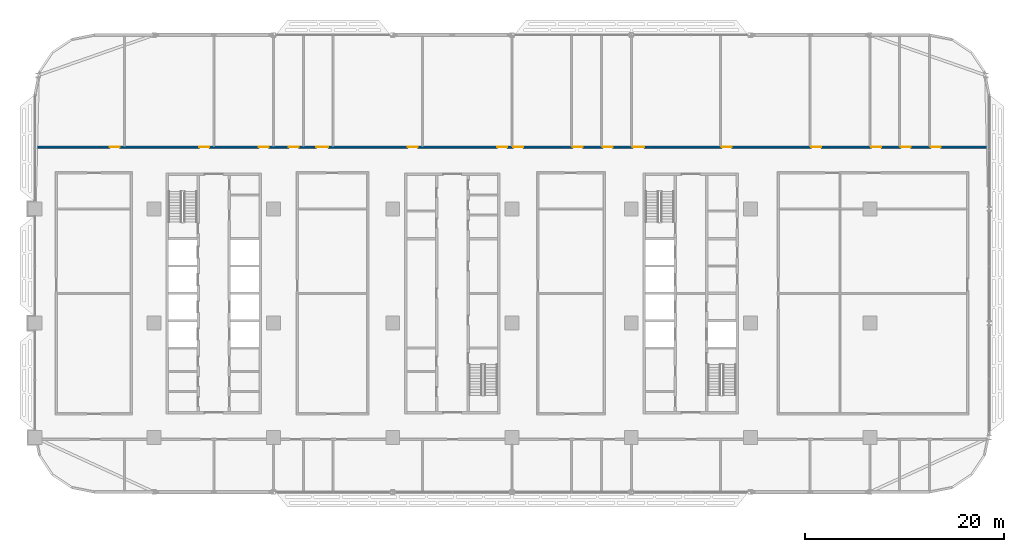
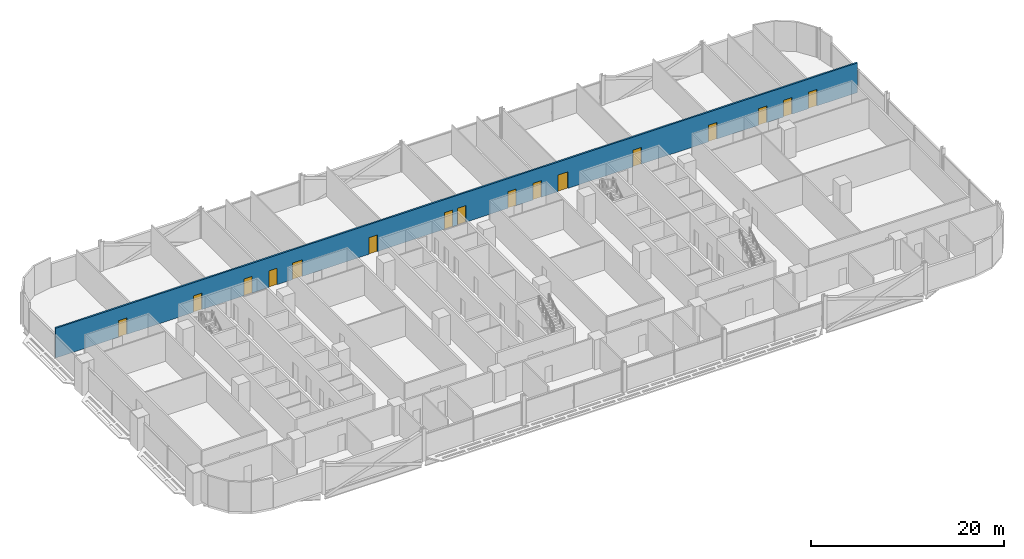
# One storey, part 15 of 29: 16 doors, 1 wall, 16 openings.
"""IFC4 building model written with IfcOpenShell, lengths in metres."""

from ifc_helpers import new_model, si_unit, direction, frame, frame_2d, origin, place, context, subcontext, project, spatial, rectangle, extrude, material, layer, layer_set, type_object, element, fill, save


model = new_model("IFC4")

# Units and contexts
model_context = context("Model", 3, precision=1e-05, world=origin(), true_north=direction((0.0, 1.0)))
body_context = subcontext(model_context, "Body", "Model", "MODEL_VIEW")
ifc_project = project(units=[si_unit("LENGTHUNIT", "METRE"), si_unit("AREAUNIT", "SQUARE_METRE"), si_unit("VOLUMEUNIT", "CUBIC_METRE"), si_unit("PLANEANGLEUNIT", "RADIAN"), si_unit("MASSUNIT", "GRAM", prefix="KILO")], contexts=[model_context])

# Site, building, storey
site_placement = place(None, origin())
site = spatial("IfcSite", under=ifc_project, at=site_placement, CompositionType="ELEMENT")
building_placement = place(site_placement, origin())
building = spatial("IfcBuilding", under=site, at=building_placement, Name="Mahtab Terrace Research Tower", CompositionType="ELEMENT")
storey_placement = place(building_placement, frame((0.0, 0.0, 109.39990234375)))
storey = spatial("IfcBuildingStorey", under=building, at=storey_placement, Name="L25", CompositionType="ELEMENT", Elevation=109.39990234375)

# Wall, openings, doors
ifc_material_1 = material(Name="Gypsum board corridor wall on steel studs", Category="steel")
ifc_layer = layer(ifc_material_1, 0.199951171875)
ifc_layer_set = layer_set([ifc_layer], Name="WALL CORRIDOR 200")
wall_type = type_object("IfcWallType", Name="WALL CORRIDOR 200", PredefinedType="PARTITIONING", material=ifc_layer_set)
wall_placement = place(storey_placement, frame((-41.97509765625, 17.699951171875, 0.0), z_axis=(0.0, 0.0, 1.0), x_axis=(1.0, 0.0, 0.0)))
wall = element("IfcWall", 1, at=wall_placement, inside=storey, type_object=wall_type, Name="L25-W026", PredefinedType="PARTITIONING", context=body_context, shape_type="SweptSolid", body=[
    extrude(rectangle(XDim=95.9501953125, YDim=0.199951171875, at=frame_2d((47.97509765625, 0.0))), origin(), (0.0, 0.0, 1.0), 3.760009765625),
])
opening_1_placement = place(wall_placement, frame((7.5, 0.0, 0.0)))
opening_1 = element("IfcOpeningElement", 2, at=opening_1_placement, cuts=wall, Name="Opening L25-132", PredefinedType="OPENING", context=body_context, shape_type="SweptSolid", body=[
    extrude(rectangle(XDim=1.0, YDim=2.10009765625, at=frame_2d((0.5, 1.050048828125))), frame((0.0, 0.10986328125, 0.0), z_axis=(0.0, -1.0, 0.0), x_axis=(1.0, 0.0, 0.0)), (0.0, 0.0, 1.0), 0.219970703125),
])
opening_2_placement = place(wall_placement, frame((16.5, 0.0, 0.0)))
opening_2 = element("IfcOpeningElement", 3, at=opening_2_placement, cuts=wall, Name="Opening L25-133", PredefinedType="OPENING", context=body_context, shape_type="SweptSolid", body=[
    extrude(rectangle(XDim=1.0, YDim=2.10009765625, at=frame_2d((0.5, 1.050048828125))), frame((0.0, 0.10986328125, 0.0), z_axis=(0.0, -1.0, 0.0), x_axis=(1.0, 0.0, 0.0)), (0.0, 0.0, 1.0), 0.219970703125),
])
opening_3_placement = place(wall_placement, frame((22.5, 0.0, 0.0)))
opening_3 = element("IfcOpeningElement", 4, at=opening_3_placement, cuts=wall, Name="Opening L25-134", PredefinedType="OPENING", context=body_context, shape_type="SweptSolid", body=[
    extrude(rectangle(XDim=1.0, YDim=2.10009765625, at=frame_2d((0.5, 1.050048828125))), frame((0.0, 0.10986328125, 0.0), z_axis=(0.0, -1.0, 0.0), x_axis=(1.0, 0.0, 0.0)), (0.0, 0.0, 1.0), 0.219970703125),
])
opening_4_placement = place(wall_placement, frame((25.5, 0.0, 0.0)))
opening_4 = element("IfcOpeningElement", 5, at=opening_4_placement, cuts=wall, Name="Opening L25-135", PredefinedType="OPENING", context=body_context, shape_type="SweptSolid", body=[
    extrude(rectangle(XDim=1.0, YDim=2.10009765625, at=frame_2d((0.5, 1.050048828125))), frame((0.0, 0.10986328125, 0.0), z_axis=(0.0, -1.0, 0.0), x_axis=(1.0, 0.0, 0.0)), (0.0, 0.0, 1.0), 0.219970703125),
])
opening_5_placement = place(wall_placement, frame((28.300048828125, 0.0, 0.0)))
opening_5 = element("IfcOpeningElement", 6, at=opening_5_placement, cuts=wall, Name="Opening L25-136", PredefinedType="OPENING", context=body_context, shape_type="SweptSolid", body=[
    extrude(rectangle(XDim=1.199951171875, YDim=2.10009765625, at=frame_2d((0.60009765625, 1.050048828125))), frame((0.0, 0.10986328125, 0.0), z_axis=(0.0, -1.0, 0.0), x_axis=(1.0, 0.0, 0.0)), (0.0, 0.0, 1.0), 0.219970703125),
])
opening_6_placement = place(wall_placement, frame((37.5, 0.0, 0.0)))
opening_6 = element("IfcOpeningElement", 7, at=opening_6_placement, cuts=wall, Name="Opening L25-137", PredefinedType="OPENING", context=body_context, shape_type="SweptSolid", body=[
    extrude(rectangle(XDim=1.0, YDim=2.10009765625, at=frame_2d((0.5, 1.050048828125))), frame((0.0, 0.10986328125, 0.0), z_axis=(0.0, -1.0, 0.0), x_axis=(1.0, 0.0, 0.0)), (0.0, 0.0, 1.0), 0.219970703125),
])
opening_7_placement = place(wall_placement, frame((46.5, 0.0, 0.0)))
opening_7 = element("IfcOpeningElement", 8, at=opening_7_placement, cuts=wall, Name="Opening L25-138", PredefinedType="OPENING", context=body_context, shape_type="SweptSolid", body=[
    extrude(rectangle(XDim=1.0, YDim=2.10009765625, at=frame_2d((0.5, 1.050048828125))), frame((0.0, 0.10986328125, 0.0), z_axis=(0.0, -1.0, 0.0), x_axis=(1.0, 0.0, 0.0)), (0.0, 0.0, 1.0), 0.219970703125),
])
opening_8_placement = place(wall_placement, frame((48.10009765625, 0.0, 0.0)))
opening_8 = element("IfcOpeningElement", 9, at=opening_8_placement, cuts=wall, Name="Opening L25-139", PredefinedType="OPENING", context=body_context, shape_type="SweptSolid", body=[
    extrude(rectangle(XDim=1.0, YDim=2.10009765625, at=frame_2d((0.5, 1.050048828125))), frame((0.0, 0.10986328125, 0.0), z_axis=(0.0, -1.0, 0.0), x_axis=(1.0, 0.0, 0.0)), (0.0, 0.0, 1.0), 0.219970703125),
])
opening_9_placement = place(wall_placement, frame((54.10009765625, 0.0, 0.0)))
opening_9 = element("IfcOpeningElement", 10, at=opening_9_placement, cuts=wall, Name="Opening L25-140", PredefinedType="OPENING", context=body_context, shape_type="SweptSolid", body=[
    extrude(rectangle(XDim=1.0, YDim=2.10009765625, at=frame_2d((0.5, 1.050048828125))), frame((0.0, 0.10986328125, 0.0), z_axis=(0.0, -1.0, 0.0), x_axis=(1.0, 0.0, 0.0)), (0.0, 0.0, 1.0), 0.219970703125),
])
opening_10_placement = place(wall_placement, frame((57.10009765625, 0.0, 0.0)))
opening_10 = element("IfcOpeningElement", 11, at=opening_10_placement, cuts=wall, Name="Opening L25-141", PredefinedType="OPENING", context=body_context, shape_type="SweptSolid", body=[
    extrude(rectangle(XDim=1.0, YDim=2.10009765625, at=frame_2d((0.5, 1.050048828125))), frame((0.0, 0.10986328125, 0.0), z_axis=(0.0, -1.0, 0.0), x_axis=(1.0, 0.0, 0.0)), (0.0, 0.0, 1.0), 0.219970703125),
])
opening_11_placement = place(wall_placement, frame((60.10009765625, 0.0, 0.0)))
opening_11 = element("IfcOpeningElement", 12, at=opening_11_placement, cuts=wall, Name="Opening L25-142", PredefinedType="OPENING", context=body_context, shape_type="SweptSolid", body=[
    extrude(rectangle(XDim=1.199951171875, YDim=2.10009765625, at=frame_2d((0.60009765625, 1.050048828125))), frame((0.0, 0.10986328125, 0.0), z_axis=(0.0, -1.0, 0.0), x_axis=(1.0, 0.0, 0.0)), (0.0, 0.0, 1.0), 0.219970703125),
])
opening_12_placement = place(wall_placement, frame((69.10009765625, 0.0, 0.0)))
opening_12 = element("IfcOpeningElement", 13, at=opening_12_placement, cuts=wall, Name="Opening L25-143", PredefinedType="OPENING", context=body_context, shape_type="SweptSolid", body=[
    extrude(rectangle(XDim=1.0, YDim=2.10009765625, at=frame_2d((0.5, 1.050048828125))), frame((0.0, 0.10986328125, 0.0), z_axis=(0.0, -1.0, 0.0), x_axis=(1.0, 0.0, 0.0)), (0.0, 0.0, 1.0), 0.219970703125),
])
opening_13_placement = place(wall_placement, frame((78.10009765625, 0.0, 0.0)))
opening_13 = element("IfcOpeningElement", 14, at=opening_13_placement, cuts=wall, Name="Opening L25-144", PredefinedType="OPENING", context=body_context, shape_type="SweptSolid", body=[
    extrude(rectangle(XDim=1.0, YDim=2.10009765625, at=frame_2d((0.5, 1.050048828125))), frame((0.0, 0.10986328125, 0.0), z_axis=(0.0, -1.0, 0.0), x_axis=(1.0, 0.0, 0.0)), (0.0, 0.0, 1.0), 0.219970703125),
])
opening_14_placement = place(wall_placement, frame((84.10009765625, 0.0, 0.0)))
opening_14 = element("IfcOpeningElement", 15, at=opening_14_placement, cuts=wall, Name="Opening L25-145", PredefinedType="OPENING", context=body_context, shape_type="SweptSolid", body=[
    extrude(rectangle(XDim=1.0, YDim=2.10009765625, at=frame_2d((0.5, 1.050048828125))), frame((0.0, 0.10986328125, 0.0), z_axis=(0.0, -1.0, 0.0), x_axis=(1.0, 0.0, 0.0)), (0.0, 0.0, 1.0), 0.219970703125),
])
opening_15_placement = place(wall_placement, frame((87.10009765625, 0.0, 0.0)))
opening_15 = element("IfcOpeningElement", 16, at=opening_15_placement, cuts=wall, Name="Opening L25-146", PredefinedType="OPENING", context=body_context, shape_type="SweptSolid", body=[
    extrude(rectangle(XDim=1.0, YDim=2.10009765625, at=frame_2d((0.5, 1.050048828125))), frame((0.0, 0.10986328125, 0.0), z_axis=(0.0, -1.0, 0.0), x_axis=(1.0, 0.0, 0.0)), (0.0, 0.0, 1.0), 0.219970703125),
])
opening_16_placement = place(wall_placement, frame((90.10009765625, 0.0, 0.0)))
opening_16 = element("IfcOpeningElement", 17, at=opening_16_placement, cuts=wall, Name="Opening L25-147", PredefinedType="OPENING", context=body_context, shape_type="SweptSolid", body=[
    extrude(rectangle(XDim=1.0, YDim=2.10009765625, at=frame_2d((0.5, 1.050048828125))), frame((0.0, 0.10986328125, 0.0), z_axis=(0.0, -1.0, 0.0), x_axis=(1.0, 0.0, 0.0)), (0.0, 0.0, 1.0), 0.219970703125),
])
ifc_material_2 = material(Name="Timber door leaf in steel frame", Category="steel")
door_type_1 = type_object("IfcDoorType", Name="DOOR 1000X2100 FD30S", OperationType="SINGLE_SWING_LEFT", PredefinedType="DOOR", material=ifc_material_2)
door_1_placement = place(opening_1_placement, origin())
door_1 = element("IfcDoor", 18, at=door_1_placement, inside=storey, type_object=door_type_1, Name="Door L25-132", OperationType="SINGLE_SWING_LEFT", OverallHeight=2.10009765625, OverallWidth=1.0, PredefinedType="DOOR", context=body_context, shape_type="SweptSolid", body=[
    extrude(rectangle(XDim=1.0, YDim=2.10009765625, at=frame_2d((0.5, 1.050048828125))), frame((0.0, 0.02490234375, 0.0), z_axis=(0.0, -1.0, 0.0), x_axis=(1.0, 0.0, 0.0)), (0.0, 0.0, 1.0), 0.050048828125),
])
fill(opening_1, door_1)
door_2_placement = place(opening_2_placement, origin())
door_2 = element("IfcDoor", 19, at=door_2_placement, inside=storey, type_object=door_type_1, Name="Door L25-133", OperationType="SINGLE_SWING_LEFT", OverallHeight=2.10009765625, OverallWidth=1.0, PredefinedType="DOOR", context=body_context, shape_type="SweptSolid", body=[
    extrude(rectangle(XDim=1.0, YDim=2.10009765625, at=frame_2d((0.5, 1.050048828125))), frame((0.0, 0.02490234375, 0.0), z_axis=(0.0, -1.0, 0.0), x_axis=(1.0, 0.0, 0.0)), (0.0, 0.0, 1.0), 0.050048828125),
])
fill(opening_2, door_2)
door_3_placement = place(opening_3_placement, origin())
door_3 = element("IfcDoor", 20, at=door_3_placement, inside=storey, type_object=door_type_1, Name="Door L25-134", OperationType="SINGLE_SWING_LEFT", OverallHeight=2.10009765625, OverallWidth=1.0, PredefinedType="DOOR", context=body_context, shape_type="SweptSolid", body=[
    extrude(rectangle(XDim=1.0, YDim=2.10009765625, at=frame_2d((0.5, 1.050048828125))), frame((0.0, 0.02490234375, 0.0), z_axis=(0.0, -1.0, 0.0), x_axis=(1.0, 0.0, 0.0)), (0.0, 0.0, 1.0), 0.050048828125),
])
fill(opening_3, door_3)
door_4_placement = place(opening_4_placement, origin())
door_4 = element("IfcDoor", 21, at=door_4_placement, inside=storey, type_object=door_type_1, Name="Door L25-135", OperationType="SINGLE_SWING_LEFT", OverallHeight=2.10009765625, OverallWidth=1.0, PredefinedType="DOOR", context=body_context, shape_type="SweptSolid", body=[
    extrude(rectangle(XDim=1.0, YDim=2.10009765625, at=frame_2d((0.5, 1.050048828125))), frame((0.0, 0.02490234375, 0.0), z_axis=(0.0, -1.0, 0.0), x_axis=(1.0, 0.0, 0.0)), (0.0, 0.0, 1.0), 0.050048828125),
])
fill(opening_4, door_4)
door_5_placement = place(opening_6_placement, origin())
door_5 = element("IfcDoor", 22, at=door_5_placement, inside=storey, type_object=door_type_1, Name="Door L25-137", OperationType="SINGLE_SWING_LEFT", OverallHeight=2.10009765625, OverallWidth=1.0, PredefinedType="DOOR", context=body_context, shape_type="SweptSolid", body=[
    extrude(rectangle(XDim=1.0, YDim=2.10009765625, at=frame_2d((0.5, 1.050048828125))), frame((0.0, 0.02490234375, 0.0), z_axis=(0.0, -1.0, 0.0), x_axis=(1.0, 0.0, 0.0)), (0.0, 0.0, 1.0), 0.050048828125),
])
fill(opening_6, door_5)
door_6_placement = place(opening_7_placement, origin())
door_6 = element("IfcDoor", 23, at=door_6_placement, inside=storey, type_object=door_type_1, Name="Door L25-138", OperationType="SINGLE_SWING_LEFT", OverallHeight=2.10009765625, OverallWidth=1.0, PredefinedType="DOOR", context=body_context, shape_type="SweptSolid", body=[
    extrude(rectangle(XDim=1.0, YDim=2.10009765625, at=frame_2d((0.5, 1.050048828125))), frame((0.0, 0.02490234375, 0.0), z_axis=(0.0, -1.0, 0.0), x_axis=(1.0, 0.0, 0.0)), (0.0, 0.0, 1.0), 0.050048828125),
])
fill(opening_7, door_6)
door_7_placement = place(opening_8_placement, origin())
door_7 = element("IfcDoor", 24, at=door_7_placement, inside=storey, type_object=door_type_1, Name="Door L25-139", OperationType="SINGLE_SWING_RIGHT", OverallHeight=2.10009765625, OverallWidth=1.0, PredefinedType="DOOR", context=body_context, shape_type="SweptSolid", body=[
    extrude(rectangle(XDim=1.0, YDim=2.10009765625, at=frame_2d((0.5, 1.050048828125))), frame((0.0, 0.02490234375, 0.0), z_axis=(0.0, -1.0, 0.0), x_axis=(1.0, 0.0, 0.0)), (0.0, 0.0, 1.0), 0.050048828125),
])
fill(opening_8, door_7)
door_8_placement = place(opening_9_placement, origin())
door_8 = element("IfcDoor", 25, at=door_8_placement, inside=storey, type_object=door_type_1, Name="Door L25-140", OperationType="SINGLE_SWING_RIGHT", OverallHeight=2.10009765625, OverallWidth=1.0, PredefinedType="DOOR", context=body_context, shape_type="SweptSolid", body=[
    extrude(rectangle(XDim=1.0, YDim=2.10009765625, at=frame_2d((0.5, 1.050048828125))), frame((0.0, 0.02490234375, 0.0), z_axis=(0.0, -1.0, 0.0), x_axis=(1.0, 0.0, 0.0)), (0.0, 0.0, 1.0), 0.050048828125),
])
fill(opening_9, door_8)
door_9_placement = place(opening_10_placement, origin())
door_9 = element("IfcDoor", 26, at=door_9_placement, inside=storey, type_object=door_type_1, Name="Door L25-141", OperationType="SINGLE_SWING_RIGHT", OverallHeight=2.10009765625, OverallWidth=1.0, PredefinedType="DOOR", context=body_context, shape_type="SweptSolid", body=[
    extrude(rectangle(XDim=1.0, YDim=2.10009765625, at=frame_2d((0.5, 1.050048828125))), frame((0.0, 0.02490234375, 0.0), z_axis=(0.0, -1.0, 0.0), x_axis=(1.0, 0.0, 0.0)), (0.0, 0.0, 1.0), 0.050048828125),
])
fill(opening_10, door_9)
door_10_placement = place(opening_12_placement, origin())
door_10 = element("IfcDoor", 27, at=door_10_placement, inside=storey, type_object=door_type_1, Name="Door L25-143", OperationType="SINGLE_SWING_RIGHT", OverallHeight=2.10009765625, OverallWidth=1.0, PredefinedType="DOOR", context=body_context, shape_type="SweptSolid", body=[
    extrude(rectangle(XDim=1.0, YDim=2.10009765625, at=frame_2d((0.5, 1.050048828125))), frame((0.0, 0.02490234375, 0.0), z_axis=(0.0, -1.0, 0.0), x_axis=(1.0, 0.0, 0.0)), (0.0, 0.0, 1.0), 0.050048828125),
])
fill(opening_12, door_10)
door_11_placement = place(opening_13_placement, origin())
door_11 = element("IfcDoor", 28, at=door_11_placement, inside=storey, type_object=door_type_1, Name="Door L25-144", OperationType="SINGLE_SWING_RIGHT", OverallHeight=2.10009765625, OverallWidth=1.0, PredefinedType="DOOR", context=body_context, shape_type="SweptSolid", body=[
    extrude(rectangle(XDim=1.0, YDim=2.10009765625, at=frame_2d((0.5, 1.050048828125))), frame((0.0, 0.02490234375, 0.0), z_axis=(0.0, -1.0, 0.0), x_axis=(1.0, 0.0, 0.0)), (0.0, 0.0, 1.0), 0.050048828125),
])
fill(opening_13, door_11)
door_12_placement = place(opening_14_placement, origin())
door_12 = element("IfcDoor", 29, at=door_12_placement, inside=storey, type_object=door_type_1, Name="Door L25-145", OperationType="SINGLE_SWING_RIGHT", OverallHeight=2.10009765625, OverallWidth=1.0, PredefinedType="DOOR", context=body_context, shape_type="SweptSolid", body=[
    extrude(rectangle(XDim=1.0, YDim=2.10009765625, at=frame_2d((0.5, 1.050048828125))), frame((0.0, 0.02490234375, 0.0), z_axis=(0.0, -1.0, 0.0), x_axis=(1.0, 0.0, 0.0)), (0.0, 0.0, 1.0), 0.050048828125),
])
fill(opening_14, door_12)
door_13_placement = place(opening_15_placement, origin())
door_13 = element("IfcDoor", 30, at=door_13_placement, inside=storey, type_object=door_type_1, Name="Door L25-146", OperationType="SINGLE_SWING_RIGHT", OverallHeight=2.10009765625, OverallWidth=1.0, PredefinedType="DOOR", context=body_context, shape_type="SweptSolid", body=[
    extrude(rectangle(XDim=1.0, YDim=2.10009765625, at=frame_2d((0.5, 1.050048828125))), frame((0.0, 0.02490234375, 0.0), z_axis=(0.0, -1.0, 0.0), x_axis=(1.0, 0.0, 0.0)), (0.0, 0.0, 1.0), 0.050048828125),
])
fill(opening_15, door_13)
door_14_placement = place(opening_16_placement, origin())
door_14 = element("IfcDoor", 31, at=door_14_placement, inside=storey, type_object=door_type_1, Name="Door L25-147", OperationType="SINGLE_SWING_RIGHT", OverallHeight=2.10009765625, OverallWidth=1.0, PredefinedType="DOOR", context=body_context, shape_type="SweptSolid", body=[
    extrude(rectangle(XDim=1.0, YDim=2.10009765625, at=frame_2d((0.5, 1.050048828125))), frame((0.0, 0.02490234375, 0.0), z_axis=(0.0, -1.0, 0.0), x_axis=(1.0, 0.0, 0.0)), (0.0, 0.0, 1.0), 0.050048828125),
])
fill(opening_16, door_14)
door_type_2 = type_object("IfcDoorType", Name="DOOR 1200X2100 FD30S", OperationType="SINGLE_SWING_LEFT", PredefinedType="DOOR", material=ifc_material_2)
door_15_placement = place(opening_5_placement, origin())
door_15 = element("IfcDoor", 32, at=door_15_placement, inside=storey, type_object=door_type_2, Name="Door L25-136", OperationType="SINGLE_SWING_LEFT", OverallHeight=2.10009765625, OverallWidth=1.199951171875, PredefinedType="DOOR", context=body_context, shape_type="SweptSolid", body=[
    extrude(rectangle(XDim=1.199951171875, YDim=2.10009765625, at=frame_2d((0.60009765625, 1.050048828125))), frame((0.0, 0.02490234375, 0.0), z_axis=(0.0, -1.0, 0.0), x_axis=(1.0, 0.0, 0.0)), (0.0, 0.0, 1.0), 0.050048828125),
])
fill(opening_5, door_15)
door_16_placement = place(opening_11_placement, origin())
door_16 = element("IfcDoor", 33, at=door_16_placement, inside=storey, type_object=door_type_2, Name="Door L25-142", OperationType="SINGLE_SWING_RIGHT", OverallHeight=2.10009765625, OverallWidth=1.199951171875, PredefinedType="DOOR", context=body_context, shape_type="SweptSolid", body=[
    extrude(rectangle(XDim=1.199951171875, YDim=2.10009765625, at=frame_2d((0.60009765625, 1.050048828125))), frame((0.0, 0.02490234375, 0.0), z_axis=(0.0, -1.0, 0.0), x_axis=(1.0, 0.0, 0.0)), (0.0, 0.0, 1.0), 0.050048828125),
])
fill(opening_11, door_16)

save(model, "model.ifc")
